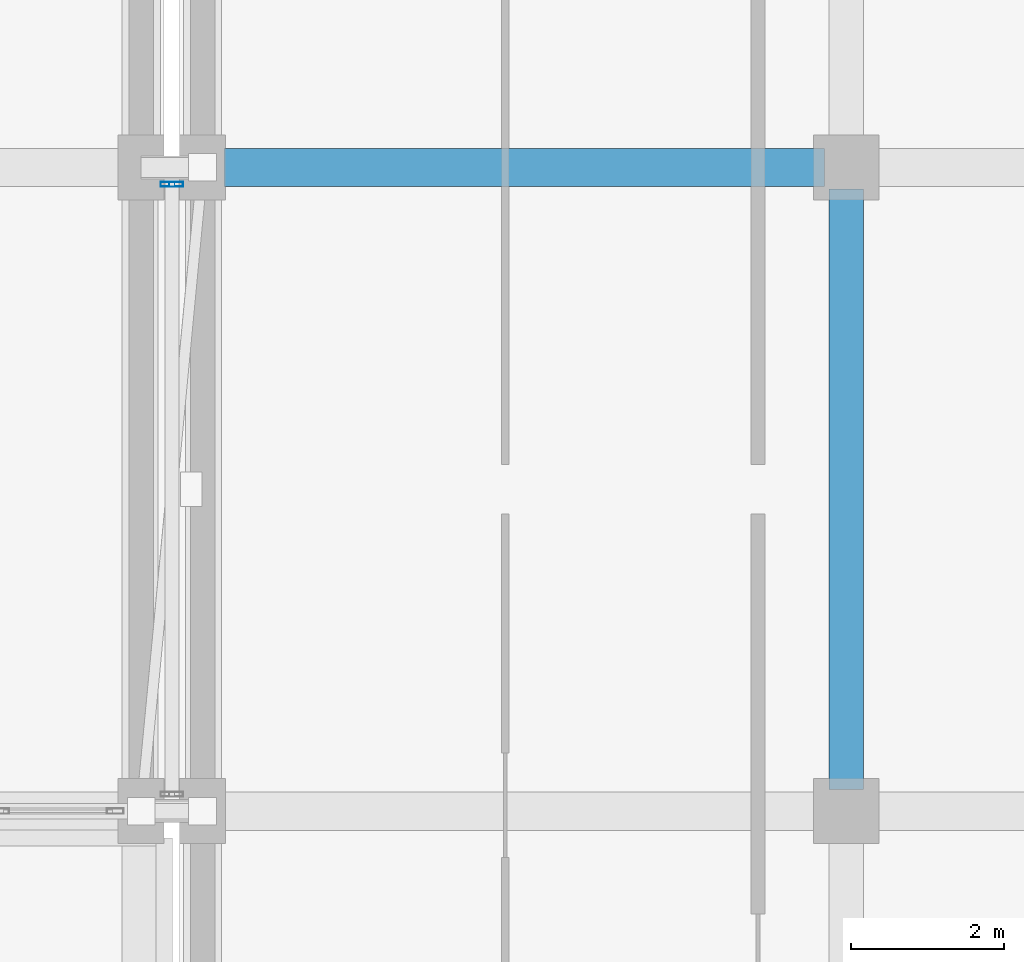
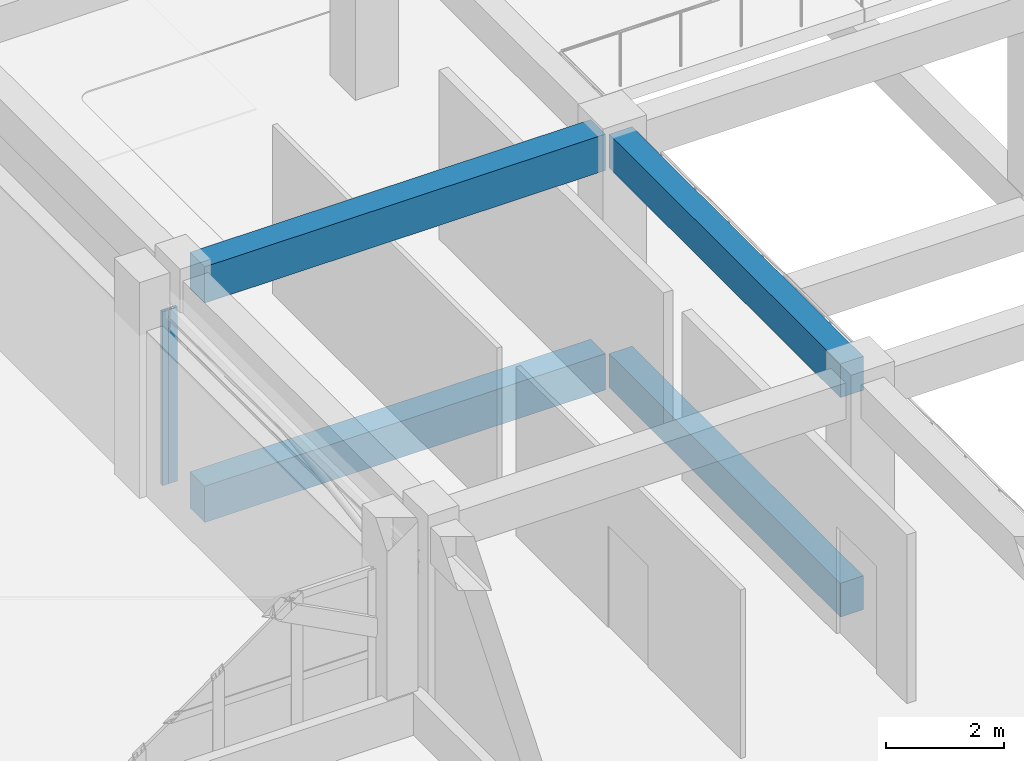
# One storey, part 61 of 129: 4 beams, 2 members, 1 element without a shape of its own.
"""IFC4 building model written with IfcOpenShell, lengths in metres."""

from ifc_helpers import new_model, si_unit, direction, frame, origin, origin_2d, place, context, subcontext, project, spatial, rectangle, hollow_rectangle, extrude, material, layer, layer_set, material_profile, profile_set, type_object, element, aggregate, save


model = new_model("IFC4")

# Units and contexts
model_context = context("Model", 3, precision=1e-05, world=origin(), true_north=direction((0.0, 1.0)))
body_context = subcontext(model_context, "Body", "Model", "MODEL_VIEW")
ifc_project = project(units=[si_unit("LENGTHUNIT", "METRE"), si_unit("AREAUNIT", "SQUARE_METRE"), si_unit("VOLUMEUNIT", "CUBIC_METRE"), si_unit("PLANEANGLEUNIT", "RADIAN"), si_unit("MASSUNIT", "GRAM", prefix="KILO")], contexts=[model_context])

# Site, building, storey
site_placement = place(None, origin())
site = spatial("IfcSite", under=ifc_project, at=site_placement, CompositionType="ELEMENT")
building_placement = place(site_placement, origin())
building = spatial("IfcBuilding", under=site, at=building_placement, Name="Xazarin Passage Department Store", CompositionType="ELEMENT")
storey_placement = place(building_placement, frame((0.0, 0.0, 9.89990234375)))
storey = spatial("IfcBuildingStorey", under=building, at=storey_placement, Name="L02", CompositionType="ELEMENT", Elevation=9.89990234375)

# Curtain wall, members
ifc_material_1 = material(Name="Bronze anodised aluminium", Category="aluminium")
ifc_layer = layer(ifc_material_1, 0.14990234375)
ifc_layer_set = layer_set([ifc_layer], Name="Bronze anodised aluminium")
curtain_wall_type = type_object("IfcCurtainWallType", Name="ARC-CW-BRG1", PredefinedType="NOTDEFINED", material=ifc_layer_set)
curtain_wall_placement = place(storey_placement, origin())
curtain_wall = element("IfcCurtainWall", 1, at=curtain_wall_placement, inside=storey, type_object=curtain_wall_type, Name="L02 BR-V1-V2N Bridge Curtain Wall 2", PredefinedType="NOTDEFINED")
ifc_material_profile_1 = material_profile(ifc_material_1, hollow_rectangle(XDim=0.06494140625, YDim=0.179931640625, WallThickness=0.00390625, at=origin_2d()), Name="ALU 65x180")
ifc_profile_set_1 = profile_set([ifc_material_profile_1], Name="Bronze anodised aluminium")
member_type = type_object("IfcMemberType", Name="ARC-CWM-65x180", PredefinedType="MULLION", material=ifc_profile_set_1)
member_1_placement = place(storey_placement, frame((67.54248046875, 76.179931640625, 0.0), z_axis=(0.0, 0.0, 1.0), x_axis=(0.0, 1.0, 0.0)))
member_1 = element("IfcMember", 2, at=member_1_placement, type_object=member_type, Name="CW7 mullion 1", PredefinedType="MULLION", context=body_context, shape_type="SweptSolid", body=[
    extrude(hollow_rectangle(XDim=0.06494140625, YDim=0.179931640625, WallThickness=0.00390625, at=origin_2d()), origin(), (0.0, 0.0, 1.0), 3.60009765625),
])
member_2_placement = place(storey_placement, frame((67.657470703125, 76.179931640625, 0.0), z_axis=(0.0, 0.0, 1.0), x_axis=(0.0, 1.0, 0.0)))
member_2 = element("IfcMember", 3, at=member_2_placement, type_object=member_type, Name="CW7 mullion 2", PredefinedType="MULLION", context=body_context, shape_type="SweptSolid", body=[
    extrude(hollow_rectangle(XDim=0.06494140625, YDim=0.179931640625, WallThickness=0.00390625, at=origin_2d()), origin(), (0.0, 0.0, 1.0), 3.60009765625),
])
aggregate(curtain_wall, [member_1, member_2])

# Beams
ifc_material_2 = material(Name="Concrete C35/45", Category="concrete")
ifc_material_profile_2 = material_profile(ifc_material_2, rectangle(XDim=0.449951171875, YDim=0.699951171875, at=origin_2d()), Name="RC 450x700")
ifc_profile_set_2 = profile_set([ifc_material_profile_2], Name="Concrete C35/45")
beam_type_1 = type_object("IfcBeamType", Name="STR-BM-G450x700", PredefinedType="BEAM", material=ifc_profile_set_2)
for number, where, z_axis, x_axis, name in (
    (4, (76.39990234375, 68.280029296875, -0.64990234375), (0.0, 1.0, 0.0), (-1.0, 0.0, 0.0), "L02 Grid Beam 11/K-L"),
    (5, (76.39990234375, 68.280029296875, 3.89013671875), (0.0, 1.0, 0.0), (-1.0, 0.0, 0.0), "L02 Grid Beam 11/K-L"),
):
    element("IfcBeam", number, at=place(storey_placement, frame(where, z_axis=z_axis, x_axis=x_axis)), inside=storey, type_object=beam_type_1, Name=name, PredefinedType="BEAM", context=body_context, shape_type="SweptSolid", body=[
        extrude(rectangle(XDim=0.449951171875, YDim=0.699951171875, at=origin_2d()), origin(), (0.0, 0.0, 1.0), 7.840087890625),
    ])
ifc_material_profile_3 = material_profile(ifc_material_2, rectangle(XDim=0.5, YDim=0.75, at=origin_2d()), Name="RC 500x750")
ifc_profile_set_3 = profile_set([ifc_material_profile_3], Name="Concrete C35/45")
beam_type_2 = type_object("IfcBeamType", Name="STR-BM-SP500x750", PredefinedType="SPANDREL", material=ifc_profile_set_3)
for number, where, z_axis, x_axis, name in (
    (6, (68.280029296875, 76.39990234375, -0.6748046875), (1.0, 0.0, 0.0), (0.0, 1.0, 0.0), "L02 Grid Beam L/10-11"),
    (7, (68.280029296875, 76.39990234375, 3.864990234375), (1.0, 0.0, 0.0), (0.0, 1.0, 0.0), "L02 Grid Beam L/10-11"),
):
    element("IfcBeam", number, at=place(storey_placement, frame(where, z_axis=z_axis, x_axis=x_axis)), inside=storey, type_object=beam_type_2, Name=name, PredefinedType="SPANDREL", context=body_context, shape_type="SweptSolid", body=[
        extrude(rectangle(XDim=0.5, YDim=0.75, at=origin_2d()), origin(), (0.0, 0.0, 1.0), 7.840087890625),
    ])

save(model, "model.ifc")
